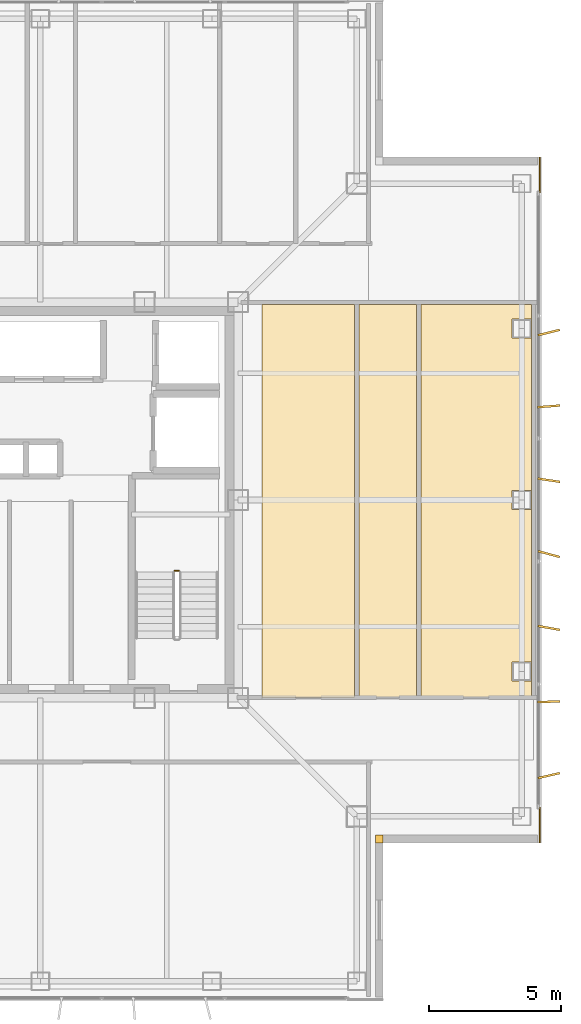
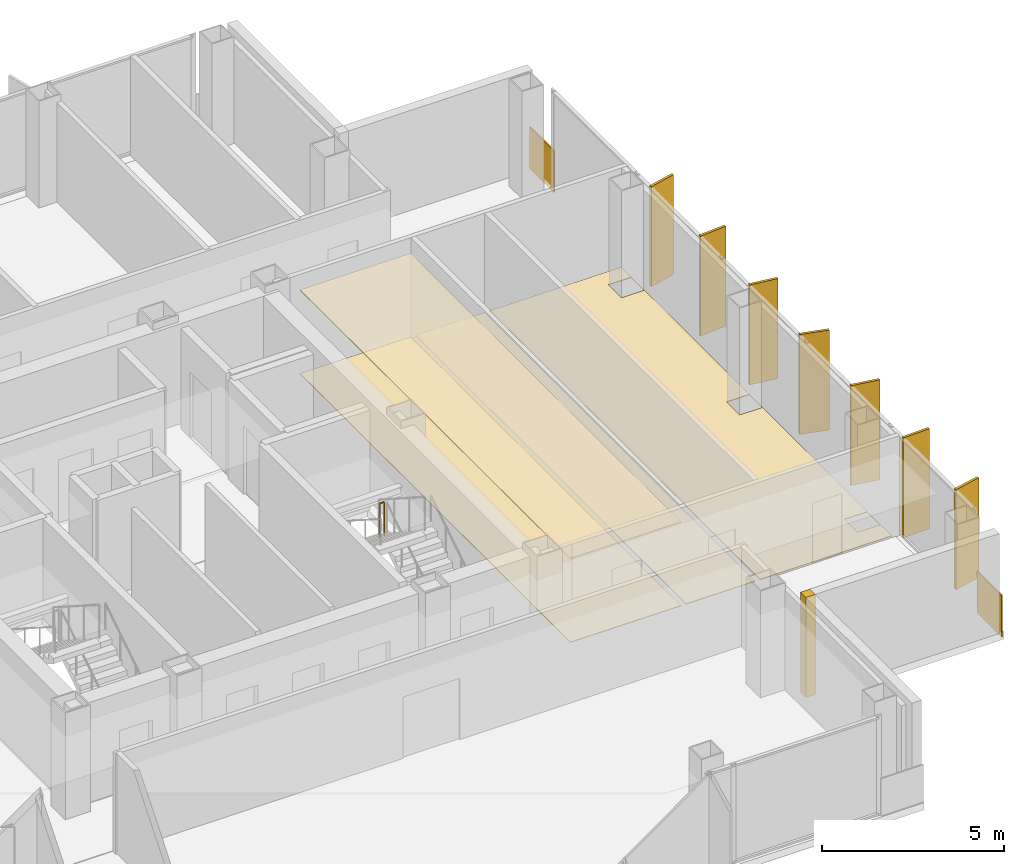
# One storey, part 14 of 15: 7 coverings, 7 shading devices, 1 railing.
"""IFC4 building model written with IfcOpenShell, lengths in metres."""

from ifc_helpers import new_model, si_unit, direction, frame, frame_2d, origin, origin_2d, place, context, subcontext, project, spatial, polyline, rectangle, circle, outline, extrude, material, layer, layer_set, type_object, element, save


model = new_model("IFC4")

# Units and contexts
model_context = context("Model", 3, precision=1e-05, world=origin(), true_north=direction((0.0, 1.0)))
body_context = subcontext(model_context, "Body", "Model", "MODEL_VIEW")
ifc_project = project(units=[si_unit("LENGTHUNIT", "METRE"), si_unit("AREAUNIT", "SQUARE_METRE"), si_unit("VOLUMEUNIT", "CUBIC_METRE"), si_unit("PLANEANGLEUNIT", "RADIAN"), si_unit("MASSUNIT", "GRAM", prefix="KILO")], contexts=[model_context])

# Site, building, storey
site_placement = place(None, origin())
site = spatial("IfcSite", under=ifc_project, at=site_placement, CompositionType="ELEMENT")
building_placement = place(site_placement, origin())
building = spatial("IfcBuilding", under=site, at=building_placement, Name="Trevonay Congress Spire", CompositionType="ELEMENT")
storey_placement = place(building_placement, frame((0.0, 0.0, 250.39990234375)))
storey = spatial("IfcBuildingStorey", under=building, at=storey_placement, Name="L65", CompositionType="ELEMENT", Elevation=250.39990234375)

# Coverings
ifc_material_1 = material(Name="Acoustic Mineral Fibre Board", Category="gypsum")
ifc_layer_1 = layer(ifc_material_1, 0.02490234375, Name="Acoustic Mineral Fibre Board")
ifc_layer_set_1 = layer_set([ifc_layer_1], Name="Acoustic Mineral Fibre Board")
covering_type_1 = type_object("IfcCoveringType", Name="COV-CEIL-ACOUSTIC", PredefinedType="CEILING", material=ifc_layer_set_1)
covering_1_placement = place(storey_placement, frame((0.0, 0.0, 2.81005859375)))
element("IfcCovering", 1, at=covering_1_placement, inside=storey, type_object=covering_type_1, Name="L65 Delegate Coffee Pantry acoustic suspended ceiling", PredefinedType="CEILING", context=body_context, shape_type="SweptSolid", body=[
    extrude(outline(polyline([(8.39990234375, -7.47998046875), (11.919921875, -7.47998046875), (11.919921875, 7.419921875), (8.39990234375, 7.419921875), (8.39990234375, -7.47998046875)])), origin(), (0.0, 0.0, 1.0), 0.025146484375),
])
ifc_material_2 = material(Name="Polished Granite Floor Tile", Category="masonry")
ifc_layer_2 = layer(ifc_material_2, 0.02001953125, Name="Polished Granite Floor Tile")
ifc_layer_set_2 = layer_set([ifc_layer_2], Name="Polished Granite Floor Tile")
covering_type_2 = type_object("IfcCoveringType", Name="COV-FLOOR-STONE", PredefinedType="FLOORING", material=ifc_layer_set_2)
covering_2_placement = place(storey_placement, origin())
element("IfcCovering", 2, at=covering_2_placement, inside=storey, type_object=covering_type_2, Name="L65 Delegate Coffee Pantry floor finish", PredefinedType="FLOORING", context=body_context, shape_type="SweptSolid", body=[
    extrude(outline(polyline([(8.39990234375, -7.47998046875), (11.919921875, -7.47998046875), (11.919921875, 7.419921875), (8.39990234375, 7.419921875), (8.39990234375, -7.47998046875)])), origin(), (0.0, 0.0, 1.0), 0.02001953125),
])
covering_3_placement = place(storey_placement, origin())
element("IfcCovering", 3, at=covering_3_placement, inside=storey, type_object=covering_type_2, Name="L65 Male Restroom WC floor finish", PredefinedType="FLOORING", context=body_context, shape_type="SweptSolid", body=[
    extrude(outline(polyline([(12.080078125, -7.47998046875), (14.27001953125, -7.47998046875), (14.27001953125, 7.419921875), (12.080078125, 7.419921875), (12.080078125, -7.47998046875)])), origin(), (0.0, 0.0, 1.0), 0.02001953125),
])
covering_4_placement = place(storey_placement, origin())
element("IfcCovering", 4, at=covering_4_placement, inside=storey, type_object=covering_type_2, Name="L65 Floor Supplies and Copy Room floor finish", PredefinedType="FLOORING", context=body_context, shape_type="SweptSolid", body=[
    extrude(outline(polyline([(14.429931640625, 7.419921875), (18.6201171875, 7.419921875), (18.6201171875, -7.47998046875), (14.429931640625, -7.47998046875), (14.429931640625, 7.419921875)]), holes=[polyline([(17.889892578125, -6.860107421875), (18.610107421875, -6.860107421875), (18.610107421875, -6.139892578125), (17.889892578125, -6.139892578125), (17.889892578125, -6.860107421875)]), polyline([(17.889892578125, 0.360107421875), (17.889892578125, -0.360107421875), (18.610107421875, -0.360107421875), (18.610107421875, 0.360107421875), (17.889892578125, 0.360107421875)]), polyline([(17.889892578125, 6.860107421875), (17.889892578125, 6.139892578125), (18.610107421875, 6.139892578125), (18.610107421875, 6.860107421875), (17.889892578125, 6.860107421875)])]), origin(), (0.0, 0.0, 1.0), 0.02001953125),
])
ifc_material_3 = material(Name="Pale Anodised Aluminium EN AW-6063-T6", Category="aluminium")
ifc_layer_3 = layer(ifc_material_3, 0.0400390625, Name="Pale Anodised Aluminium EN AW-6063-T6")
ifc_layer_set_3 = layer_set([ifc_layer_3], Name="Pale Anodised Aluminium EN AW-6063-T6")
covering_type_3 = type_object("IfcCoveringType", Name="COV-SPANDREL-PALE-METAL", PredefinedType="CLADDING", material=ifc_layer_set_3)
covering_5_placement = place(storey_placement, origin())
element("IfcCovering", 5, at=covering_5_placement, inside=storey, type_object=covering_type_3, Name="L65 SE re-entrant notch corner closure trim", PredefinedType="CLADDING", context=body_context, shape_type="SweptSolid", body=[
    extrude(outline(polyline([(12.699951171875, -13.0), (13.0, -13.0), (13.0, -12.699951171875), (12.699951171875, -12.699951171875), (12.699951171875, -13.0)])), origin(), (0.0, 0.0, 1.0), 3.360107421875),
])
for number, where, z_axis, x_axis, name in (
    (6, (18.93994140625, -11.64990234375, -0.14990234375), (0.0, 0.0, 1.0), (0.0, -1.0, 0.0), "L65 SE corner pier spandrel cladding 1"),
    (7, (18.93994140625, 11.64990234375, -0.14990234375), (0.0, 0.0, 1.0), (0.0, 1.0, 0.0), "L65 NE corner pier spandrel cladding 1"),
):
    element("IfcCovering", number, at=place(storey_placement, frame(where, z_axis=z_axis, x_axis=x_axis)), inside=storey, type_object=covering_type_3, Name=name, PredefinedType="CLADDING", context=body_context, shape_type="SweptSolid", body=[
        extrude(rectangle(XDim=1.35009765625, YDim=0.0400390625, at=frame_2d((0.675048828125, 0.0))), origin(), (0.0, 0.0, 1.0), 1.39990234375),
    ])

# Railing
railing_type = type_object("IfcRailingType", Name="RAL-STAIR-GUARD-110", PredefinedType="GUARDRAIL", material=ifc_material_3)
railing_placement = place(storey_placement, frame((5.25, -2.679931640625, 1.800048828125)))
element("IfcRailing", 8, at=railing_placement, inside=storey, type_object=railing_type, Name="L65 ST-2 stair guard 2", PredefinedType="GUARDRAIL", context=body_context, shape_type="SweptSolid", body=[
    extrude(circle(Radius=0.02392578125, at=origin_2d()), frame((0.0, 0.0, 1.1259765625), z_axis=(-1.0, 0.0, 0.0), x_axis=(0.0, -1.0, 0.0)), (0.0, 0.0, 1.0), 0.14990234375),
    extrude(circle(Radius=0.02099609375, at=origin_2d()), origin(), (0.0, 0.0, 1.0), 1.101806640625),
    extrude(circle(Radius=0.02099609375, at=origin_2d()), frame((-0.14990234375, 0.0, 0.0)), (0.0, 0.0, 1.0), 1.101806640625),
])

# Shading devices
shading_device_type = type_object("IfcShadingDeviceType", Name="SHD-FIN-Z4-PALE-METAL", PredefinedType="USERDEFINED", material=ifc_material_3)
for number, where, z_axis, x_axis, name in (
    (9, (19.280029296875, -10.449951171875, 0.0), (0.0, 0.0, 1.0), (-0.224780991261, 0.97440931131, 0.0), "L65 E vertical pale-metal solar fin 1"),
    (10, (19.280029296875, -7.64990234375, 0.0), (0.0, 0.0, 1.0), (-0.039085416795, 0.999235873152, 0.0), "L65 E vertical pale-metal solar fin 2"),
    (11, (19.280029296875, -4.85009765625, 0.0), (0.0, 0.0, 1.0), (0.17708474032, 0.984195607969, 0.0), "L65 E vertical pale-metal solar fin 3"),
    (12, (19.280029296875, -2.050048828125, 0.0), (0.0, 0.0, 1.0), (0.258144638645, 0.966106280664, 0.0), "L65 E vertical pale-metal solar fin 4"),
    (13, (19.280029296875, 0.75, 0.0), (0.0, 0.0, 1.0), (0.146946275799, 0.989144474801, 0.0), "L65 E vertical pale-metal solar fin 5"),
    (14, (19.280029296875, 3.550048828125, 0.0), (0.0, 0.0, 1.0), (-0.077067060513, 0.997025911491, 0.0), "L65 E vertical pale-metal solar fin 6"),
    (15, (19.280029296875, 6.35009765625, 0.0), (0.0, 0.0, 1.0), (-0.241244442494, 0.970464383152, 0.0), "L65 E vertical pale-metal solar fin 7"),
):
    element("IfcShadingDevice", number, at=place(storey_placement, frame(where, z_axis=z_axis, x_axis=x_axis)), inside=storey, type_object=shading_device_type, Name=name, ObjectType="SOLAR FIN", PredefinedType="USERDEFINED", context=body_context, shape_type="SweptSolid", body=[
        extrude(rectangle(XDim=0.080078125, YDim=0.85009765625, at=origin_2d()), origin(), (0.0, 0.0, 1.0), 3.360107421875),
    ])

save(model, "model.ifc")
